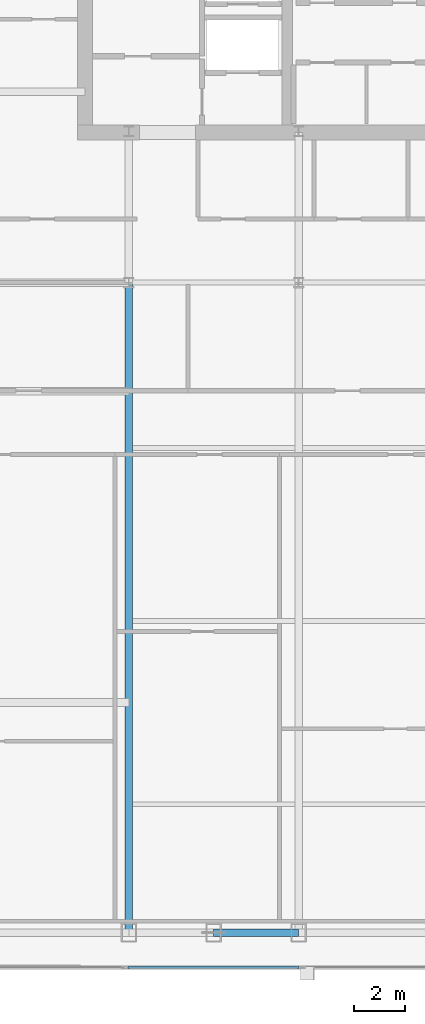
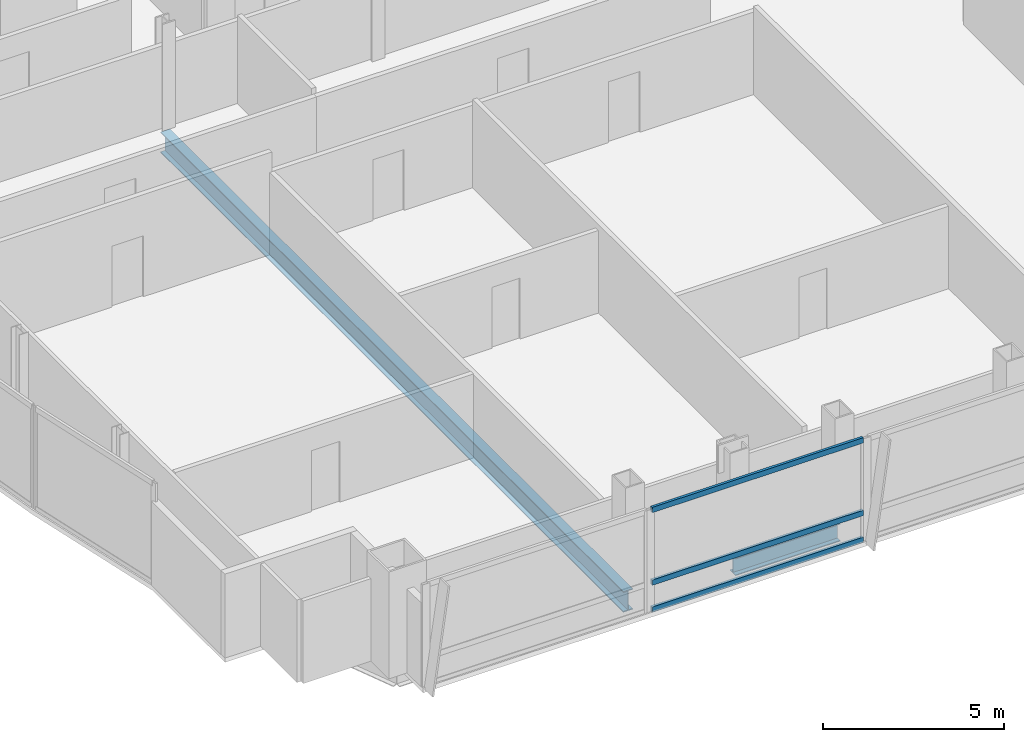
# One storey, part 7 of 30: 3 members, 2 beams, 1 element without a shape of its own.
"""IFC4 building model written with IfcOpenShell, lengths in metres."""

from ifc_helpers import new_model, si_unit, direction, frame, origin, origin_2d, place, context, subcontext, project, spatial, hollow_rectangle, i_section, extrude, material, material_profile, profile_set, type_object, element, aggregate, save


model = new_model("IFC4")

# Units and contexts
model_context = context("Model", 3, precision=1e-05, world=origin(), true_north=direction((0.0, 1.0)))
body_context = subcontext(model_context, "Body", "Model", "MODEL_VIEW")
ifc_project = project(units=[si_unit("LENGTHUNIT", "METRE"), si_unit("AREAUNIT", "SQUARE_METRE"), si_unit("VOLUMEUNIT", "CUBIC_METRE"), si_unit("PLANEANGLEUNIT", "RADIAN"), si_unit("MASSUNIT", "GRAM", prefix="KILO")], contexts=[model_context])

# Site, building, storey
site_placement = place(None, origin())
site = spatial("IfcSite", under=ifc_project, at=site_placement, CompositionType="ELEMENT")
building_placement = place(site_placement, origin())
building = spatial("IfcBuilding", under=site, at=building_placement, Name="Khoronbel Lancet Exchange", CompositionType="ELEMENT")
storey_placement = place(building_placement, frame((0.0, 0.0, 217.39990234375)))
storey = spatial("IfcBuildingStorey", under=building, at=storey_placement, Name="L55", CompositionType="ELEMENT", Elevation=217.39990234375)

# Beams
ifc_material_1 = material(Name="Steel S355", Category="steel")
ifc_material_profile_1 = material_profile(ifc_material_1, i_section(OverallWidth=0.300048828125, OverallDepth=0.699951171875, WebThickness=0.01708984375, FlangeThickness=0.031982421875, at=origin_2d()), Name="HEB 700")
ifc_profile_set_1 = profile_set([ifc_material_profile_1], Name="Steel S355")
beam_type_1 = type_object("IfcBeamType", Name="BM-BG3", PredefinedType="BEAM", material=ifc_profile_set_1)
beam_1_placement = place(storey_placement, frame((18.22509765625, 10.14990234375, -0.510009765625), z_axis=(0.0, 1.0, 0.0), x_axis=(-1.0, 0.0, 0.0)))
element("IfcBeam", 1, at=beam_1_placement, inside=storey, type_object=beam_type_1, Name="Level L55 south primary girder GS1", PredefinedType="BEAM", context=body_context, shape_type="SweptSolid", body=[
    extrude(i_section(OverallWidth=0.300048828125, OverallDepth=0.699951171875, WebThickness=0.01708984375, FlangeThickness=0.031982421875, at=origin_2d()), origin(), (0.0, 0.0, 1.0), 25.550048828125),
])
ifc_material_profile_2 = material_profile(ifc_material_1, i_section(OverallWidth=0.300048828125, OverallDepth=0.60009765625, WebThickness=0.015380859375, FlangeThickness=0.030029296875, at=origin_2d()), Name="HEB 600")
ifc_profile_set_2 = profile_set([ifc_material_profile_2], Name="Steel S355")
beam_type_2 = type_object("IfcBeamType", Name="BM-BSP2", PredefinedType="SPANDREL", material=ifc_profile_set_2)
beam_2_placement = place(storey_placement, frame((21.5625, 10.14990234375, -0.4599609375), z_axis=(1.0, 0.0, 0.0), x_axis=(0.0, 1.0, 0.0)))
element("IfcBeam", 2, at=beam_2_placement, inside=storey, type_object=beam_type_2, Name="Level L55 perimeter spandrel beam SP03", PredefinedType="SPANDREL", context=body_context, shape_type="SweptSolid", body=[
    extrude(i_section(OverallWidth=0.300048828125, OverallDepth=0.60009765625, WebThickness=0.015380859375, FlangeThickness=0.030029296875, at=origin_2d()), origin(), (0.0, 0.0, 1.0), 3.33740234375),
])

# Curtain wall, members
ifc_material_2 = material(Name="Low-E Solar Control Insulating Glass", Category="glass")
curtain_wall_type = type_object("IfcCurtainWallType", Name="CW-3", PredefinedType="NOTDEFINED", material=ifc_material_2)
curtain_wall_placement = place(storey_placement, origin())
curtain_wall = element("IfcCurtainWall", 3, at=curtain_wall_placement, inside=storey, type_object=curtain_wall_type, Name="Unitised curtain wall CW-L55-SWB", PredefinedType="NOTDEFINED")
ifc_material_3 = material(Name="Bronze-Anodised Aluminium 6063-T6", Category="aluminium")
ifc_material_profile_3 = material_profile(ifc_material_3, hollow_rectangle(XDim=0.0849609375, YDim=0.179931640625, WallThickness=0.0048828125, at=origin_2d()), Name="ALU TRANSOM 85x180")
ifc_profile_set_3 = profile_set([ifc_material_profile_3], Name="Bronze-Anodised Aluminium 6063-T6")
member_type = type_object("IfcMemberType", Name="MEM-CWT1", PredefinedType="USERDEFINED", material=ifc_profile_set_3)
member_1_placement = place(storey_placement, frame((18.18505859375, 8.7900390625, 0.04248046875), z_axis=(1.0, 0.0, 0.0), x_axis=(0.0, 1.0, 0.0)))
member_1 = element("IfcMember", 4, at=member_1_placement, type_object=member_type, Name="CW3 transom 1.1", ObjectType="TRANSOM", PredefinedType="USERDEFINED", context=body_context, shape_type="SweptSolid", body=[
    extrude(hollow_rectangle(XDim=0.0849609375, YDim=0.179931640625, WallThickness=0.0048828125, at=origin_2d()), origin(), (0.0, 0.0, 1.0), 6.72998046875),
])
member_2_placement = place(storey_placement, frame((18.18505859375, 8.7900390625, 0.9501953125), z_axis=(1.0, 0.0, 0.0), x_axis=(0.0, 1.0, 0.0)))
member_2 = element("IfcMember", 5, at=member_2_placement, type_object=member_type, Name="CW3 transom 1.2", ObjectType="TRANSOM", PredefinedType="USERDEFINED", context=body_context, shape_type="SweptSolid", body=[
    extrude(hollow_rectangle(XDim=0.0849609375, YDim=0.179931640625, WallThickness=0.0048828125, at=origin_2d()), origin(), (0.0, 0.0, 1.0), 6.72998046875),
])
member_3_placement = place(storey_placement, frame((18.18505859375, 8.7900390625, 3.397705078125), z_axis=(1.0, 0.0, 0.0), x_axis=(0.0, 1.0, 0.0)))
member_3 = element("IfcMember", 6, at=member_3_placement, type_object=member_type, Name="CW3 transom 1.3", ObjectType="TRANSOM", PredefinedType="USERDEFINED", context=body_context, shape_type="SweptSolid", body=[
    extrude(hollow_rectangle(XDim=0.0849609375, YDim=0.179931640625, WallThickness=0.0048828125, at=origin_2d()), origin(), (0.0, 0.0, 1.0), 6.72998046875),
])
aggregate(curtain_wall, [member_1, member_2, member_3])

save(model, "model.ifc")
